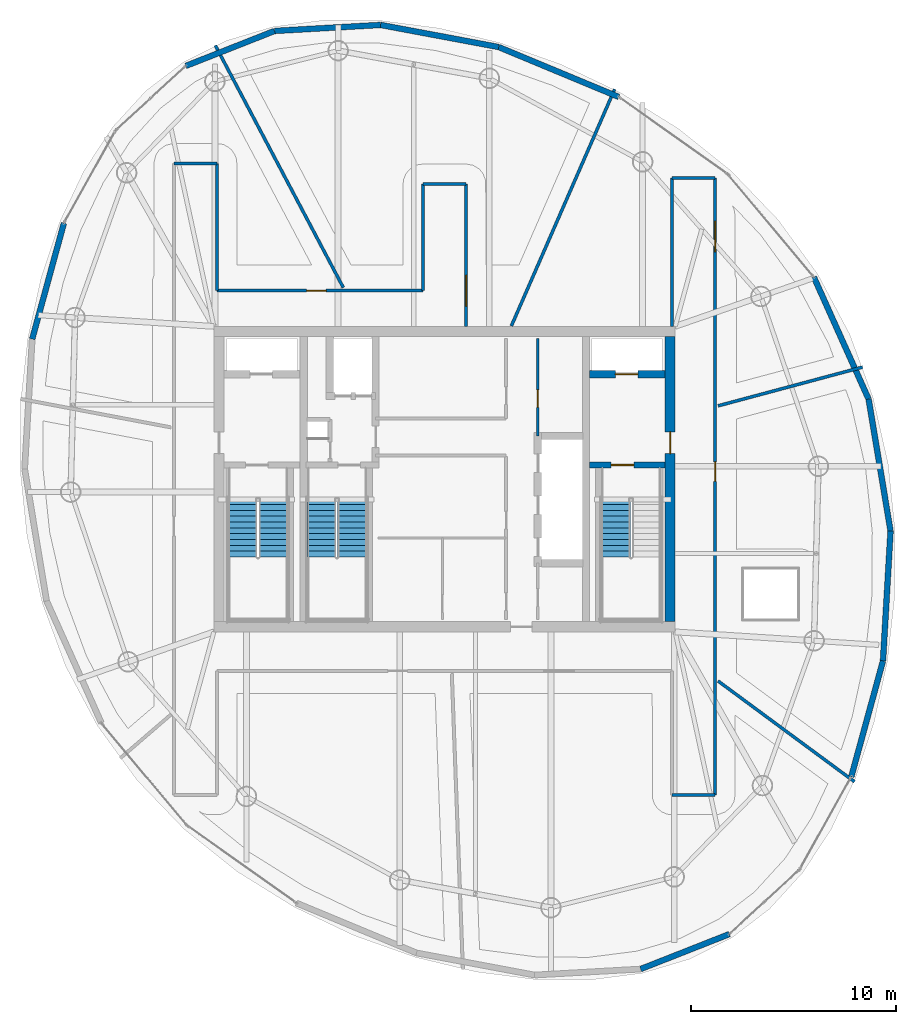
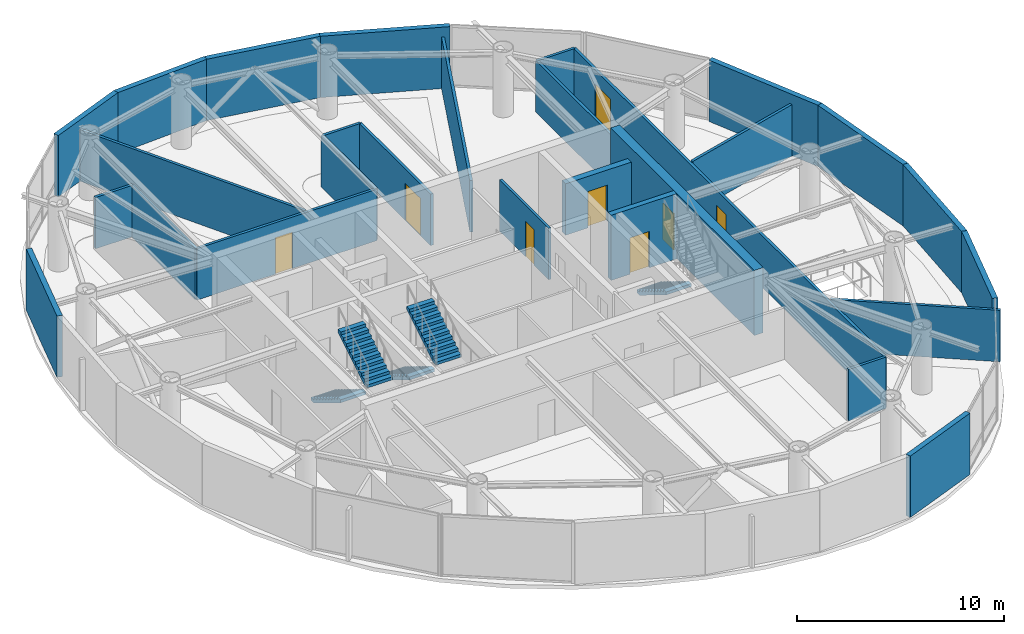
# One storey, part 13 of 17: 28 walls, 8 doors, 5 stair flights, 8 openings, 3 elements without a shape of their own.
"""IFC4 building model written with IfcOpenShell, lengths in metres."""

import ifcopenshell
import ifcopenshell.guid

model = None  # the IFC model being written
_history = None  # IfcOwnerHistory: only IFC2X3 demands one
_inside = {}  # id of a spatial element -> (the spatial element, [elements in it])
_under = {}  # id of a project, library or spatial element -> (it, [spatial elements below it])
_declared = {}  # id of a project -> (the project, [libraries it declares])
_typed = {}  # id of a type object -> (the type object, [elements of that type])
_made_of = {}  # id of a material, layer set ... -> (it, [elements and type objects made of it])


def new_model(schema):
    """Start an empty IFC model of exactly this schema.

    Asked for "IFC4X3", IfcOpenShell would pick the latest addendum, in which some entities
    have other attributes; the version numbers below select the first issue.
    IFC2X3 requires an IfcOwnerHistory on every rooted entity: one is made here for all.
    """
    global model, _history
    if schema == "IFC4X3":
        model = ifcopenshell.file(schema_version=(4, 3, 0, 0))
    else:
        model = ifcopenshell.file(schema=schema)
    _inside.clear()
    _under.clear()
    _declared.clear()
    _typed.clear()
    _made_of.clear()
    _history = None
    if model.schema == "IFC2X3":
        org = make("IfcOrganization", Name="unknown")
        user = make(
            "IfcPersonAndOrganization",
            ThePerson=make("IfcPerson", FamilyName="unknown"),
            TheOrganization=org,
        )
        app = make(
            "IfcApplication",
            ApplicationDeveloper=org,
            Version="unknown",
            ApplicationFullName="unknown",
            ApplicationIdentifier="unknown",
        )
        _history = make(
            "IfcOwnerHistory",
            OwningUser=user,
            OwningApplication=app,
            ChangeAction="ADDED",
            CreationDate=0,
        )
    return model


def make(cls, **values):
    """One entity of the class cls with the attributes given. An attribute that is None is left unset."""
    return model.create_entity(
        cls, **{name: value for name, value in values.items() if value is not None}
    )


def rooted(cls, **values):
    """An entity with a GlobalId (a new one), such as an element, a storey or a relation."""
    return make(cls, GlobalId=ifcopenshell.guid.new(), OwnerHistory=_history, **values)


def si_unit(unit_type, name, prefix=None):
    """IfcSIUnit, for example si_unit("LENGTHUNIT", "METRE", prefix="MILLI")."""
    return make("IfcSIUnit", UnitType=unit_type, Prefix=prefix, Name=name)


def assignment(units):
    """IfcUnitAssignment: the units of a project."""
    return None if units is None else make("IfcUnitAssignment", Units=units)


def point(xyz):
    """IfcCartesianPoint."""
    return None if xyz is None else make("IfcCartesianPoint", Coordinates=xyz)


def direction(xyz):
    """IfcDirection."""
    return None if xyz is None else make("IfcDirection", DirectionRatios=xyz)


def frame(location, z_axis=None, x_axis=None):
    """IfcAxis2Placement3D, a coordinate frame: its origin and axes. An axis left out is left unset."""
    return make(
        "IfcAxis2Placement3D",
        Location=point(location),
        Axis=direction(z_axis),
        RefDirection=direction(x_axis),
    )


def frame_2d(location, x_axis=None):
    """IfcAxis2Placement2D, a coordinate frame in the plane: its origin and x axis."""
    return make(
        "IfcAxis2Placement2D", Location=point(location), RefDirection=direction(x_axis)
    )


def origin():
    """The frame at (0, 0, 0) with its axes left unset."""
    return frame((0.0, 0.0, 0.0))


def place(relative_to, where):
    """IfcLocalPlacement: puts the frame where relative to a parent placement (None: the world)."""
    return make(
        "IfcLocalPlacement", PlacementRelTo=relative_to, RelativePlacement=where
    )


def context(
    kind, dimensions, precision=None, world=None, true_north=None, identifier=None
):
    """IfcGeometricRepresentationContext, for example the 3D "Model" context."""
    return make(
        "IfcGeometricRepresentationContext",
        ContextIdentifier=identifier,
        ContextType=kind,
        CoordinateSpaceDimension=dimensions,
        Precision=precision,
        WorldCoordinateSystem=world,
        TrueNorth=true_north,
    )


def subcontext(parent, identifier, kind, view, scale=None):
    """IfcGeometricRepresentationSubContext, for example "Body" below "Model"."""
    return make(
        "IfcGeometricRepresentationSubContext",
        ContextIdentifier=identifier,
        ContextType=kind,
        ParentContext=parent,
        TargetScale=scale,
        TargetView=view,
    )


def project(units=None, contexts=None):
    """IfcProject with its units and contexts."""
    return rooted(
        "IfcProject",
        Name="project",
        RepresentationContexts=contexts,
        UnitsInContext=assignment(units),
    )


def spatial(cls, under=None, at=None, **own):
    """A site, building, storey or space (cls), placed at a placement, below another one or the project."""
    s = rooted(cls, ObjectPlacement=at, **own)
    if under is not None:
        _under.setdefault(under.id(), (under, []))[1].append(s)
    return s


def polyline(points):
    """IfcPolyline through the points."""
    return make("IfcPolyline", Points=[point(p) for p in points])


def profile(cls, at=None, kind="AREA", **sizes):
    """A parametric profile (cls). Its sizes go by their IFC names, for example OverallWidth=200.0."""
    return make(cls, ProfileType=kind, Position=at, **sizes)


def rectangle(**sizes):
    """IfcRectangleProfileDef."""
    return profile("IfcRectangleProfileDef", **sizes)


def outline(outer, holes=None, kind="AREA"):
    """IfcArbitraryClosedProfileDef: a profile drawn as a closed curve; with holes, ...WithVoids."""
    if holes is None:
        return make("IfcArbitraryClosedProfileDef", ProfileType=kind, OuterCurve=outer)
    return make(
        "IfcArbitraryProfileDefWithVoids",
        ProfileType=kind,
        OuterCurve=outer,
        InnerCurves=holes,
    )


def extrude(swept, where, along, depth):
    """IfcExtrudedAreaSolid: the profile swept, set in the frame where, extruded along a direction by depth."""
    return make(
        "IfcExtrudedAreaSolid",
        SweptArea=swept,
        Position=where,
        ExtrudedDirection=direction(along),
        Depth=depth,
    )


def shape(context_of_items, identifier, shape_type, items):
    """IfcShapeRepresentation: the items that make up one representation, for example the "Body"."""
    return make(
        "IfcShapeRepresentation",
        ContextOfItems=context_of_items,
        RepresentationIdentifier=identifier,
        RepresentationType=shape_type,
        Items=items,
    )


def material(Name=None, Category=None):
    """IfcMaterial."""
    return make("IfcMaterial", Name=Name, Category=Category)


def layer(
    of_material, thickness, ventilated=None, Name=None, Category=None, Priority=None
):
    """IfcMaterialLayer: one layer of a wall or slab, of a material (None: an air gap)."""
    return make(
        "IfcMaterialLayer",
        Material=of_material,
        LayerThickness=thickness,
        IsVentilated=ventilated,
        Name=Name,
        Category=Category,
        Priority=Priority,
    )


def layer_set(layers, Name=None):
    """IfcMaterialLayerSet."""
    return make("IfcMaterialLayerSet", MaterialLayers=layers, LayerSetName=Name)


def made_of(thing, what):
    """Note that an element or type object is made of a material, layer set ...; save() writes the relation."""
    if what is not None:
        _made_of.setdefault(what.id(), (what, []))[1].append(thing)
    return thing


def type_object(cls, material=None, **own):
    """A type object (cls), such as IfcWallType, which elements share."""
    return made_of(rooted(cls, **own), material)


def element(
    cls,
    number,
    at=None,
    inside=None,
    cuts=None,
    type_object=None,
    material=None,
    context=None,
    identifier="Body",
    shape_type=None,
    held_by="IfcProductDefinitionShape",
    body=None,
    shapes=None,
    **own,
):
    """One element of the class cls, such as IfcWall. Its Tag is "e" and its number.

    at: its placement. inside: the storey or other place that contains it. cuts: it is an
    opening in that element (IfcRelVoidsElement). A single representation is given by context,
    identifier, shape_type and body (its items); several are given by shapes. held_by: the class
    of the entity that holds the representations. save() writes the other relations.
    """
    e = rooted(cls, Tag="e%d" % number, ObjectPlacement=at, **own)
    if body is not None:
        shapes = [shape(context, identifier, shape_type, body)]
    if shapes is not None:
        e.Representation = make(held_by, Representations=shapes)
    if inside is not None:
        _inside.setdefault(inside.id(), (inside, []))[1].append(e)
    if cuts is not None:
        rooted(
            "IfcRelVoidsElement", RelatingBuildingElement=cuts, RelatedOpeningElement=e
        )
    if type_object is not None:
        _typed.setdefault(type_object.id(), (type_object, []))[1].append(e)
    return made_of(e, material)


def fill(opening, filler):
    """IfcRelFillsElement: the door or window that sits in an opening."""
    return rooted(
        "IfcRelFillsElement",
        RelatingOpeningElement=opening,
        RelatedBuildingElement=filler,
    )


def aggregate(whole, parts):
    """IfcRelAggregates: a whole, such as a stair, and the parts it consists of."""
    return rooted("IfcRelAggregates", RelatingObject=whole, RelatedObjects=parts)


def save(model, path):
    """Write the relations noted so far, then the file.

    IfcRelAggregates (storeys below a building ...), IfcRelContainedInSpatialStructure (elements
    in a storey), IfcRelDefinesByType, IfcRelAssociatesMaterial and IfcRelDeclares: one each for
    every whole, place, type object, material and project.
    """
    for whole, parts in _under.values():
        aggregate(whole, parts)
    for where, things in _inside.values():
        rooted(
            "IfcRelContainedInSpatialStructure",
            RelatedElements=things,
            RelatingStructure=where,
        )
    for kind, things in _typed.values():
        rooted("IfcRelDefinesByType", RelatedObjects=things, RelatingType=kind)
    for what, things in _made_of.values():
        rooted("IfcRelAssociatesMaterial", RelatedObjects=things, RelatingMaterial=what)
    for by, libraries in _declared.values():
        rooted("IfcRelDeclares", RelatingContext=by, RelatedDefinitions=libraries)
    model.write(path)


model = new_model("IFC4")

# Units and contexts
model_context = context("Model", 3, precision=1e-05, world=origin(), true_north=direction((0.0, 1.0)))
body_context = subcontext(model_context, "Body", "Model", "MODEL_VIEW")
ifc_project = project(units=[si_unit("LENGTHUNIT", "METRE"), si_unit("AREAUNIT", "SQUARE_METRE"), si_unit("VOLUMEUNIT", "CUBIC_METRE"), si_unit("PLANEANGLEUNIT", "RADIAN"), si_unit("MASSUNIT", "GRAM", prefix="KILO")], contexts=[model_context])

# Site, building, storey
site_placement = place(None, origin())
site = spatial("IfcSite", under=ifc_project, at=site_placement, CompositionType="ELEMENT")
building_placement = place(site_placement, origin())
building = spatial("IfcBuilding", under=site, at=building_placement, Name="Bramvorn Convention Spire", CompositionType="ELEMENT")
storey_placement = place(building_placement, frame((0.0, 0.0, 265.14990234375)))
storey = spatial("IfcBuildingStorey", under=building, at=storey_placement, Name="L67", CompositionType="ELEMENT", Elevation=265.14990234375)

# Wall, opening, door
ifc_material_1 = material(Name="Concrete C50/60", Category="concrete")
ifc_layer_1 = layer(ifc_material_1, 0.5)
ifc_layer_set_1 = layer_set([ifc_layer_1], Name="Concrete C50/60 - WL-CORE-500")
wall_type_1 = type_object("IfcWallType", Name="WL-CORE-500", PredefinedType="SHEAR", material=ifc_layer_set_1)
wall_1_placement = place(storey_placement, frame((49.0, 19.050048828125, 0.0), z_axis=(0.0, 0.0, 1.0), x_axis=(0.0, 1.0, 0.0)))
wall_1 = element("IfcWall", 1, at=wall_1_placement, inside=storey, type_object=wall_type_1, Name="L67 East RC core shear wall", PredefinedType="SHEAR", context=body_context, shape_type="SweptSolid", body=[
    extrude(rectangle(XDim=13.89990234375, YDim=0.5, at=frame_2d((6.949951171875, 0.0))), origin(), (0.0, 0.0, 1.0), 3.85009765625),
])
opening_1_placement = place(wall_1_placement, frame((8.199951171875, 0.0, 0.0)))
opening_1 = element("IfcOpeningElement", 2, at=opening_1_placement, cuts=wall_1, Name="Opening DL-105", PredefinedType="OPENING", context=body_context, shape_type="SweptSolid", body=[
    extrude(rectangle(XDim=1.050048828125, YDim=2.14990234375, at=frame_2d((0.52490234375, 1.074951171875))), frame((0.0, 0.260009765625, 0.0), z_axis=(0.0, -1.0, 0.0), x_axis=(1.0, 0.0, 0.0)), (0.0, 0.0, 1.0), 0.52001953125),
])
ifc_material_2 = material(Name="Smoke-Sealed Fire Lobby Timber-Core Door", Category="wood")
door_type_1 = type_object("IfcDoorType", Name="DR-LOBBY-1050", OperationType="NOTDEFINED", PredefinedType="DOOR", material=ifc_material_2)
door_1_placement = place(opening_1_placement, origin())
door_1 = element("IfcDoor", 3, at=door_1_placement, inside=storey, type_object=door_type_1, Name="L67 East Firefighting Lobby corridor door", OperationType="SINGLE_SWING_LEFT", OverallHeight=2.14990234375, OverallWidth=1.050048828125, PredefinedType="DOOR", context=body_context, shape_type="SweptSolid", body=[
    extrude(rectangle(XDim=1.050048828125, YDim=2.14990234375, at=frame_2d((0.52490234375, 1.074951171875))), frame((0.0, 0.02490234375, 0.0), z_axis=(0.0, -1.0, 0.0), x_axis=(1.0, 0.0, 0.0)), (0.0, 0.0, 1.0), 0.050048828125),
])
fill(opening_1, door_1)

ifc_layer_2 = layer(ifc_material_1, 0.35009765625)
ifc_layer_set_2 = layer_set([ifc_layer_2], Name="Concrete C50/60 - WL-CORE-INT-350")
wall_type_2 = type_object("IfcWallType", Name="WL-CORE-INT-350", PredefinedType="SHEAR", material=ifc_layer_set_2)
wall_2_placement = place(storey_placement, frame((45.080078125, 31.1201171875, 0.0), z_axis=(0.0, 0.0, 1.0), x_axis=(1.0, 0.0, 0.0)))
wall_2 = element("IfcWall", 4, at=wall_2_placement, inside=storey, type_object=wall_type_2, Name="L67 FE2 shaft front wall", PredefinedType="SHEAR", context=body_context, shape_type="SweptSolid", body=[
    extrude(rectangle(XDim=3.669921875, YDim=0.35009765625, at=frame_2d((1.8349609375, 0.0))), origin(), (0.0, 0.0, 1.0), 3.0400390625),
])
opening_2_placement = place(wall_2_placement, frame((1.25, 0.0, 0.0)))
opening_2 = element("IfcOpeningElement", 5, at=opening_2_placement, cuts=wall_2, Name="Opening LD-110", PredefinedType="OPENING", context=body_context, shape_type="SweptSolid", body=[
    extrude(rectangle(XDim=1.10009765625, YDim=2.14990234375, at=frame_2d((0.550048828125, 1.074951171875))), frame((0.0, 0.18505859375, 0.0), z_axis=(0.0, -1.0, 0.0), x_axis=(1.0, 0.0, 0.0)), (0.0, 0.0, 1.0), 0.3701171875),
])
ifc_material_3 = material(Name="Firefighting & Service Lift Sliding Landing Door", Category="steel")
door_type_2 = type_object("IfcDoorType", Name="DR-LIFT-LD-1100", OperationType="NOTDEFINED", PredefinedType="DOOR", material=ifc_material_3)
door_2_placement = place(opening_2_placement, origin())
door_2 = element("IfcDoor", 6, at=door_2_placement, inside=storey, type_object=door_type_2, Name="L67 Lift FE2 Sliding Landing Door", OperationType="SLIDING_TO_LEFT", OverallHeight=2.14990234375, OverallWidth=1.10009765625, PredefinedType="DOOR", context=body_context, shape_type="SweptSolid", body=[
    extrude(rectangle(XDim=1.10009765625, YDim=2.14990234375, at=frame_2d((0.550048828125, 1.074951171875))), frame((0.0, 0.02490234375, 0.0), z_axis=(0.0, -1.0, 0.0), x_axis=(1.0, 0.0, 0.0)), (0.0, 0.0, 1.0), 0.050048828125),
])
fill(opening_2, door_2)

# Walls
ifc_material_4 = material(Name="Precast Concrete C40/50 with Bronze Terracotta Rainscreen", Category="masonry")
ifc_layer_3 = layer(ifc_material_4, 0.300048828125)
ifc_layer_set_3 = layer_set([ifc_layer_3], Name="Precast Concrete C40/50 with Bronze Terracotta Rainscreen - WL-EXT-BRONZE-300")
wall_type_3 = type_object("IfcWallType", Name="WL-EXT-BRONZE-300", PredefinedType="SOLIDWALL", material=ifc_layer_set_3)
wall_3_placement = place(storey_placement, frame((59.385498046875, 17.133544921875, 0.0), z_axis=(0.0, 0.0, 1.0), x_axis=(-0.264002098422, -0.964522105516, 0.0)))
element("IfcWall", 7, at=wall_3_placement, inside=storey, type_object=wall_type_3, Name="L67 expressed bronze Gothic lancet pier wall 03", PredefinedType="SOLIDWALL", context=body_context, shape_type="SweptSolid", body=[
    extrude(rectangle(XDim=5.8603515625, YDim=0.280029296875, at=frame_2d((2.93017578125, 0.0))), origin(), (0.0, 0.0, 1.0), 3.625),
])
wall_4_placement = place(storey_placement, frame((59.75390625, 23.468017578125, 0.0), z_axis=(0.0, 0.0, 1.0), x_axis=(-0.058061140862, -0.998313029025, 0.0)))
element("IfcWall", 8, at=wall_4_placement, inside=storey, type_object=wall_type_3, Name="L67 expressed bronze Gothic lancet pier wall 04", PredefinedType="SOLIDWALL", context=body_context, shape_type="SweptSolid", body=[
    extrude(rectangle(XDim=6.34521484375, YDim=0.280029296875, at=frame_2d((3.172607421875, 0.0))), origin(), (0.0, 0.0, 1.0), 3.625),
])
wall_5_placement = place(storey_placement, frame((58.68310546875, 29.90576171875, 0.0), z_axis=(0.0, 0.0, 1.0), x_axis=(0.164077460274, -0.986447457815, 0.0)))
element("IfcWall", 9, at=wall_5_placement, inside=storey, type_object=wall_type_3, Name="L67 expressed bronze Gothic lancet pier wall 05", PredefinedType="SOLIDWALL", context=body_context, shape_type="SweptSolid", body=[
    extrude(rectangle(XDim=6.526123046875, YDim=0.280029296875, at=frame_2d((3.26318359375, 0.0))), origin(), (0.0, 0.0, 1.0), 3.625),
])
wall_6_placement = place(storey_placement, frame((56.010986328125, 35.860595703125, 0.0), z_axis=(0.0, 0.0, 1.0), x_axis=(0.409401707674, -0.912354230414, 0.0)))
element("IfcWall", 10, at=wall_6_placement, inside=storey, type_object=wall_type_3, Name="L67 expressed bronze Gothic lancet pier wall 06", PredefinedType="SOLIDWALL", context=body_context, shape_type="SweptSolid", body=[
    extrude(rectangle(XDim=6.52685546875, YDim=0.280029296875, at=frame_2d((3.263427734375, 0.0))), origin(), (0.0, 0.0, 1.0), 3.625),
])
wall_7_placement = place(storey_placement, frame((40.638916015625, 47.076171875, 0.0), z_axis=(0.0, 0.0, 1.0), x_axis=(0.92339875501, -0.383842075919, 0.0)))
element("IfcWall", 11, at=wall_7_placement, inside=storey, type_object=wall_type_3, Name="L67 expressed bronze Gothic lancet pier wall 09", PredefinedType="SOLIDWALL", context=body_context, shape_type="SweptSolid", body=[
    extrude(rectangle(XDim=6.34521484375, YDim=0.280029296875, at=frame_2d((3.172607421875, 0.0))), origin(), (0.0, 0.0, 1.0), 3.625),
])
wall_8_placement = place(storey_placement, frame((34.878662109375, 48.153564453125, 0.0), z_axis=(0.0, 0.0, 1.0), x_axis=(0.982954154171, -0.183850838449, 0.0)))
element("IfcWall", 12, at=wall_8_placement, inside=storey, type_object=wall_type_3, Name="L67 expressed bronze Gothic lancet pier wall 10", PredefinedType="SOLIDWALL", context=body_context, shape_type="SweptSolid", body=[
    extrude(rectangle(XDim=5.860107421875, YDim=0.280029296875, at=frame_2d((2.93017578125, 0.0))), origin(), (0.0, 0.0, 1.0), 3.625),
])
wall_9_placement = place(storey_placement, frame((29.707763671875, 47.8603515625, 0.0), z_axis=(0.0, 0.0, 1.0), x_axis=(0.998396170021, 0.056613493871, 0.0)))
element("IfcWall", 13, at=wall_9_placement, inside=storey, type_object=wall_type_3, Name="L67 expressed bronze Gothic lancet pier wall 11", PredefinedType="SOLIDWALL", context=body_context, shape_type="SweptSolid", body=[
    extrude(rectangle(XDim=5.17919921875, YDim=0.280029296875, at=frame_2d((2.589599609375, 0.0))), origin(), (0.0, 0.0, 1.0), 3.625),
])
wall_10_placement = place(storey_placement, frame((25.380859375, 46.155517578125, 0.0), z_axis=(0.0, 0.0, 1.0), x_axis=(0.930386691725, 0.366579600988, 0.0)))
element("IfcWall", 14, at=wall_10_placement, inside=storey, type_object=wall_type_3, Name="L67 expressed bronze Gothic lancet pier wall 12", PredefinedType="SOLIDWALL", context=body_context, shape_type="SweptSolid", body=[
    extrude(rectangle(XDim=4.650634765625, YDim=0.280029296875, at=frame_2d((2.3251953125, 0.0))), origin(), (0.0, 0.0, 1.0), 3.625),
])
wall_11_placement = place(storey_placement, frame((17.88818359375, 32.832275390625, 0.0), z_axis=(0.0, 0.0, 1.0), x_axis=(0.26396334097, 0.964532713092, 0.0)))
element("IfcWall", 15, at=wall_11_placement, inside=storey, type_object=wall_type_3, Name="L67 expressed bronze Gothic lancet pier wall 15", PredefinedType="SOLIDWALL", context=body_context, shape_type="SweptSolid", body=[
    extrude(rectangle(XDim=5.860107421875, YDim=0.280029296875, at=frame_2d((2.93017578125, 0.0))), origin(), (0.0, 0.0, 1.0), 3.625),
])
wall_12_placement = place(storey_placement, frame((51.892578125, 3.810302734375, 0.0), z_axis=(0.0, 0.0, 1.0), x_axis=(-0.930379636763, -0.366597506123, 0.0)))
element("IfcWall", 16, at=wall_12_placement, inside=storey, type_object=wall_type_3, Name="L67 expressed bronze Gothic lancet pier wall 24", PredefinedType="SOLIDWALL", context=body_context, shape_type="SweptSolid", body=[
    extrude(rectangle(XDim=4.650390625, YDim=0.280029296875, at=frame_2d((2.3251953125, 0.0))), origin(), (0.0, 0.0, 1.0), 3.625),
])

# Wall, opening, door
ifc_material_5 = material(Name="Metal-Stud Demountable Office Partition", Category="gypsum")
ifc_layer_4 = layer(ifc_material_5, 0.1298828125)
ifc_layer_set_4 = layer_set([ifc_layer_4], Name="Metal-Stud Demountable Office Partition - WL-PART-130")
wall_type_4 = type_object("IfcWallType", Name="WL-PART-130", PredefinedType="PARTITIONING", material=ifc_layer_set_4)
wall_13_placement = place(storey_placement, frame((42.550048828125, 28.10009765625, 0.0), z_axis=(0.0, 0.0, 1.0), x_axis=(0.0, 1.0, 0.0)))
wall_13 = element("IfcWall", 17, at=wall_13_placement, inside=storey, type_object=wall_type_4, Name="L67 KA NE IDF wall", PredefinedType="PARTITIONING", context=body_context, shape_type="SweptSolid", body=[
    extrude(rectangle(XDim=4.75, YDim=0.1298828125, at=frame_2d((2.375, 0.0))), origin(), (0.0, 0.0, 1.0), 3.0400390625),
])
opening_3_placement = place(wall_13_placement, frame((1.39990234375, 0.0, 0.0)))
opening_3 = element("IfcOpeningElement", 18, at=opening_3_placement, cuts=wall_13, Name="Opening DC-085", PredefinedType="OPENING", context=body_context, shape_type="SweptSolid", body=[
    extrude(rectangle(XDim=0.85009765625, YDim=2.10009765625, at=frame_2d((0.425048828125, 1.050048828125))), frame((0.0, 0.074951171875, 0.0), z_axis=(0.0, -1.0, 0.0), x_axis=(1.0, 0.0, 0.0)), (0.0, 0.0, 1.0), 0.14990234375),
])
ifc_material_6 = material(Name="Fire-Rated Core Washroom & IDF Door", Category="wood")
door_type_3 = type_object("IfcDoorType", Name="DR-CORE-850", OperationType="NOTDEFINED", PredefinedType="DOOR", material=ifc_material_6)
door_3_placement = place(opening_3_placement, origin())
door_3 = element("IfcDoor", 19, at=door_3_placement, inside=storey, type_object=door_type_3, Name="L67 Core IDF & BMS Room door", OperationType="SINGLE_SWING_LEFT", OverallHeight=2.10009765625, OverallWidth=0.85009765625, PredefinedType="DOOR", context=body_context, shape_type="SweptSolid", body=[
    extrude(rectangle(XDim=0.85009765625, YDim=2.10009765625, at=frame_2d((0.425048828125, 1.050048828125))), frame((0.0, 0.02490234375, 0.0), z_axis=(0.0, -1.0, 0.0), x_axis=(1.0, 0.0, 0.0)), (0.0, 0.0, 1.0), 0.050048828125),
])
fill(opening_3, door_3)

ifc_material_7 = material(Name="Acoustic Metal-Stud Tenant/Corridor Partition", Category="gypsum")
ifc_layer_5 = layer(ifc_material_7, 0.14990234375)
ifc_layer_set_5 = layer_set([ifc_layer_5], Name="Acoustic Metal-Stud Tenant/Corridor Partition - WL-PART-150")
wall_type_5 = type_object("IfcWallType", Name="WL-PART-150", PredefinedType="PARTITIONING", material=ifc_layer_set_5)
wall_14_placement = place(storey_placement, frame((26.89990234375, 35.199951171875, 0.0), z_axis=(0.0, 0.0, 1.0), x_axis=(1.0, 0.0, 0.0)))
wall_14 = element("IfcWall", 20, at=wall_14_placement, inside=storey, type_object=wall_type_5, Name="L67 North-west spur link wall", PredefinedType="PARTITIONING", context=body_context, shape_type="SweptSolid", body=[
    extrude(rectangle(XDim=10.050048828125, YDim=0.14990234375, at=frame_2d((5.02490234375, 0.0))), origin(), (0.0, 0.0, 1.0), 3.0400390625),
])
opening_4_placement = place(wall_14_placement, frame((4.3779296875, 0.0, 0.0)))
opening_4 = element("IfcOpeningElement", 21, at=opening_4_placement, cuts=wall_14, Name="Opening DH-095", PredefinedType="OPENING", context=body_context, shape_type="SweptSolid", body=[
    extrude(rectangle(XDim=0.949951171875, YDim=2.14990234375, at=frame_2d((0.47509765625, 1.074951171875))), frame((0.0, 0.0849609375, 0.0), z_axis=(0.0, -1.0, 0.0), x_axis=(1.0, 0.0, 0.0)), (0.0, 0.0, 1.0), 0.169921875),
])
ifc_material_8 = material(Name="Solid-Core Acoustic Guestroom Entry Door", Category="wood")
door_type_4 = type_object("IfcDoorType", Name="DR-HOTEL-950", OperationType="NOTDEFINED", PredefinedType="DOOR", material=ifc_material_8)
door_4_placement = place(opening_4_placement, origin())
door_4 = element("IfcDoor", 22, at=door_4_placement, inside=storey, type_object=door_type_4, Name="L67 Butler Catering Kitchen 3 door", OperationType="SINGLE_SWING_LEFT", OverallHeight=2.14990234375, OverallWidth=0.949951171875, PredefinedType="DOOR", context=body_context, shape_type="SweptSolid", body=[
    extrude(rectangle(XDim=0.949951171875, YDim=2.14990234375, at=frame_2d((0.47509765625, 1.074951171875))), frame((0.0, 0.02490234375, 0.0), z_axis=(0.0, -1.0, 0.0), x_axis=(1.0, 0.0, 0.0)), (0.0, 0.0, 1.0), 0.050048828125),
])
fill(opening_4, door_4)

# Walls
wall_15_placement = place(storey_placement, frame((26.89990234375, 35.199951171875, 0.0), z_axis=(0.0, 0.0, 1.0), x_axis=(0.0, 1.0, 0.0)))
element("IfcWall", 23, at=wall_15_placement, inside=storey, type_object=wall_type_5, Name="L67 West gallery NE wall", PredefinedType="PARTITIONING", context=body_context, shape_type="SweptSolid", body=[
    extrude(rectangle(XDim=6.199951171875, YDim=0.14990234375, at=frame_2d((3.10009765625, 0.0))), origin(), (0.0, 0.0, 1.0), 3.0400390625),
])
wall_16_placement = place(storey_placement, frame((24.800048828125, 41.39990234375, 0.0), z_axis=(0.0, 0.0, 1.0), x_axis=(1.0, 0.0, 0.0)))
element("IfcWall", 24, at=wall_16_placement, inside=storey, type_object=wall_type_5, Name="L67 West gallery north end", PredefinedType="PARTITIONING", context=body_context, shape_type="SweptSolid", body=[
    extrude(rectangle(XDim=2.099853515625, YDim=0.14990234375, at=frame_2d((1.0498046875, 0.0))), origin(), (0.0, 0.0, 1.0), 3.0400390625),
])

# Wall, openings, doors
wall_17_placement = place(storey_placement, frame((51.199951171875, 10.60009765625, 0.0), z_axis=(0.0, 0.0, 1.0), x_axis=(0.0, 1.0, 0.0)))
wall_17 = element("IfcWall", 25, at=wall_17_placement, inside=storey, type_object=wall_type_5, Name="L67 East N-S gallery outer wall", PredefinedType="PARTITIONING", context=body_context, shape_type="SweptSolid", body=[
    extrude(rectangle(XDim=30.088623046875, YDim=0.14990234375, at=frame_2d((15.04443359375, 0.0))), origin(), (0.0, 0.0, 1.0), 3.0400390625),
])
opening_5_placement = place(wall_17_placement, frame((26.484619140625, 0.0, 0.0)))
opening_5 = element("IfcOpeningElement", 26, at=opening_5_placement, cuts=wall_17, Name="Opening DC-150", PredefinedType="OPENING", context=body_context, shape_type="SweptSolid", body=[
    extrude(rectangle(XDim=1.5, YDim=2.199951171875, at=frame_2d((0.75, 1.10009765625))), frame((0.0, 0.0849609375, 0.0), z_axis=(0.0, -1.0, 0.0), x_axis=(1.0, 0.0, 0.0)), (0.0, 0.0, 1.0), 0.169921875),
])
opening_6_placement = place(wall_17_placement, frame((15.2890625, 0.0, 0.0)))
opening_6 = element("IfcOpeningElement", 27, at=opening_6_placement, cuts=wall_17, Name="Opening DH-095", PredefinedType="OPENING", context=body_context, shape_type="SweptSolid", body=[
    extrude(rectangle(XDim=0.949951171875, YDim=2.14990234375, at=frame_2d((0.47509765625, 1.074951171875))), frame((0.0, 0.0849609375, 0.0), z_axis=(0.0, -1.0, 0.0), x_axis=(1.0, 0.0, 0.0)), (0.0, 0.0, 1.0), 0.169921875),
])
ifc_material_9 = material(Name="Double-Leaf Smoke-Control Corridor Door", Category="wood")
door_type_5 = type_object("IfcDoorType", Name="DR-COR-1500", OperationType="NOTDEFINED", PredefinedType="DOOR", material=ifc_material_9)
door_5_placement = place(opening_5_placement, origin())
door_5 = element("IfcDoor", 28, at=door_5_placement, inside=storey, type_object=door_type_5, Name="L67 Executive Dining Salon 1 1 door", OperationType="DOUBLE_DOOR_SINGLE_SWING", OverallHeight=2.199951171875, OverallWidth=1.5, PredefinedType="DOOR", context=body_context, shape_type="SweptSolid", body=[
    extrude(rectangle(XDim=1.5, YDim=2.199951171875, at=frame_2d((0.75, 1.10009765625))), frame((0.0, 0.02490234375, 0.0), z_axis=(0.0, -1.0, 0.0), x_axis=(1.0, 0.0, 0.0)), (0.0, 0.0, 1.0), 0.050048828125),
])
fill(opening_5, door_5)
door_6_placement = place(opening_6_placement, origin())
door_6 = element("IfcDoor", 29, at=door_6_placement, inside=storey, type_object=door_type_4, Name="L67 Executive Strategy Suite 7 door", OperationType="SINGLE_SWING_LEFT", OverallHeight=2.14990234375, OverallWidth=0.949951171875, PredefinedType="DOOR", context=body_context, shape_type="SweptSolid", body=[
    extrude(rectangle(XDim=0.949951171875, YDim=2.14990234375, at=frame_2d((0.47509765625, 1.074951171875))), frame((0.0, 0.02490234375, 0.0), z_axis=(0.0, -1.0, 0.0), x_axis=(1.0, 0.0, 0.0)), (0.0, 0.0, 1.0), 0.050048828125),
])
fill(opening_6, door_6)

# Walls
wall_18_placement = place(storey_placement, frame((49.10009765625, 33.449951171875, 0.0), z_axis=(0.0, 0.0, 1.0), x_axis=(0.0, 1.0, 0.0)))
element("IfcWall", 30, at=wall_18_placement, inside=storey, type_object=wall_type_5, Name="L67 East gallery NW wall", PredefinedType="PARTITIONING", context=body_context, shape_type="SweptSolid", body=[
    extrude(rectangle(XDim=7.23876953125, YDim=0.14990234375, at=frame_2d((3.619384765625, 0.0))), origin(), (0.0, 0.0, 1.0), 3.0400390625),
])
for number, where, z_axis, x_axis, name in (
    (31, (49.10009765625, 10.60009765625, 0.0), (0.0, 0.0, 1.0), (1.0, 0.0, 0.0), "L67 East gallery south end"),
    (32, (49.10009765625, 40.688720703125, 0.0), (0.0, 0.0, 1.0), (1.0, 0.0, 0.0), "L67 East gallery north end"),
):
    element("IfcWall", number, at=place(storey_placement, frame(where, z_axis=z_axis, x_axis=x_axis)), inside=storey, type_object=wall_type_5, Name=name, PredefinedType="PARTITIONING", context=body_context, shape_type="SweptSolid", body=[
        extrude(rectangle(XDim=2.099853515625, YDim=0.14990234375, at=frame_2d((1.0498046875, 0.0))), origin(), (0.0, 0.0, 1.0), 3.0400390625),
    ])
wall_19_placement = place(storey_placement, frame((36.949951171875, 35.199951171875, 0.0), z_axis=(0.0, 0.0, 1.0), x_axis=(0.0, 1.0, 0.0)))
element("IfcWall", 33, at=wall_19_placement, inside=storey, type_object=wall_type_5, Name="L67 North spur west wall", PredefinedType="PARTITIONING", context=body_context, shape_type="SweptSolid", body=[
    extrude(rectangle(XDim=5.199951171875, YDim=0.14990234375, at=frame_2d((2.60009765625, 0.0))), origin(), (0.0, 0.0, 1.0), 3.0400390625),
])

# Wall, opening, door
wall_20_placement = place(storey_placement, frame((39.050048828125, 33.449951171875, 0.0), z_axis=(0.0, 0.0, 1.0), x_axis=(0.0, 1.0, 0.0)))
wall_20 = element("IfcWall", 34, at=wall_20_placement, inside=storey, type_object=wall_type_5, Name="L67 North spur east wall", PredefinedType="PARTITIONING", context=body_context, shape_type="SweptSolid", body=[
    extrude(rectangle(XDim=6.949951171875, YDim=0.14990234375, at=frame_2d((3.47509765625, 0.0))), origin(), (0.0, 0.0, 1.0), 3.0400390625),
])
opening_7_placement = place(wall_20_placement, frame((0.987548828125, 0.0, 0.0)))
opening_7 = element("IfcOpeningElement", 35, at=opening_7_placement, cuts=wall_20, Name="Opening DC-150", PredefinedType="OPENING", context=body_context, shape_type="SweptSolid", body=[
    extrude(rectangle(XDim=1.5, YDim=2.199951171875, at=frame_2d((0.75, 1.10009765625))), frame((0.0, 0.0849609375, 0.0), z_axis=(0.0, -1.0, 0.0), x_axis=(1.0, 0.0, 0.0)), (0.0, 0.0, 1.0), 0.169921875),
])
door_7_placement = place(opening_7_placement, origin())
door_7 = element("IfcDoor", 36, at=door_7_placement, inside=storey, type_object=door_type_5, Name="L67 Executive Dining Salon 2 2 door", OperationType="DOUBLE_DOOR_SINGLE_SWING", OverallHeight=2.199951171875, OverallWidth=1.5, PredefinedType="DOOR", context=body_context, shape_type="SweptSolid", body=[
    extrude(rectangle(XDim=1.5, YDim=2.199951171875, at=frame_2d((0.75, 1.10009765625))), frame((0.0, 0.02490234375, 0.0), z_axis=(0.0, -1.0, 0.0), x_axis=(1.0, 0.0, 0.0)), (0.0, 0.0, 1.0), 0.050048828125),
])
fill(opening_7, door_7)

# Walls
wall_21_placement = place(storey_placement, frame((36.949951171875, 40.39990234375, 0.0), z_axis=(0.0, 0.0, 1.0), x_axis=(1.0, 0.0, 0.0)))
element("IfcWall", 37, at=wall_21_placement, inside=storey, type_object=wall_type_5, Name="L67 North spur end wall", PredefinedType="PARTITIONING", context=body_context, shape_type="SweptSolid", body=[
    extrude(rectangle(XDim=2.10009765625, YDim=0.14990234375, at=frame_2d((1.050048828125, 0.0))), origin(), (0.0, 0.0, 1.0), 3.0400390625),
])
wall_22_placement = place(storey_placement, frame((51.340087890625, 29.574462890625, 0.0), z_axis=(0.0, 0.0, 1.0), x_axis=(0.965925662207, 0.258819657463, 0.0)))
element("IfcWall", 38, at=wall_22_placement, inside=storey, type_object=wall_type_5, Name="L67 Tenant suite partition 1", PredefinedType="PARTITIONING", context=body_context, shape_type="SweptSolid", body=[
    extrude(rectangle(XDim=7.301025390625, YDim=0.14990234375, at=frame_2d((3.650390625, 0.0))), origin(), (0.0, 0.0, 1.0), 3.0400390625),
])
wall_23_placement = place(storey_placement, frame((41.259033203125, 33.469970703125, 0.0), z_axis=(0.0, 0.0, 1.0), x_axis=(0.399905988598, 0.916556163191, 0.0)))
element("IfcWall", 39, at=wall_23_placement, inside=storey, type_object=wall_type_5, Name="L67 Tenant suite partition 2", PredefinedType="PARTITIONING", context=body_context, shape_type="SweptSolid", body=[
    extrude(rectangle(XDim=12.601806640625, YDim=0.14990234375, at=frame_2d((6.30078125, 0.0))), origin(), (0.0, 0.0, 1.0), 3.0400390625),
])
wall_24_placement = place(storey_placement, frame((33.063720703125, 35.340087890625, 0.0), z_axis=(0.0, 0.0, 1.0), x_axis=(-0.467271634446, 0.884113804689, 0.0)))
element("IfcWall", 40, at=wall_24_placement, inside=storey, type_object=wall_type_5, Name="L67 Tenant suite partition 3", PredefinedType="PARTITIONING", context=body_context, shape_type="SweptSolid", body=[
    extrude(rectangle(XDim=13.36669921875, YDim=0.14990234375, at=frame_2d((6.683349609375, 0.0))), origin(), (0.0, 0.0, 1.0), 3.0400390625),
])
wall_25_placement = place(storey_placement, frame((51.340087890625, 16.154541015625, 0.0), z_axis=(0.0, 0.0, 1.0), x_axis=(0.804600259719, -0.593816825343, 0.0)))
element("IfcWall", 41, at=wall_25_placement, inside=storey, type_object=wall_type_5, Name="L67 Tenant suite partition 7", PredefinedType="PARTITIONING", context=body_context, shape_type="SweptSolid", body=[
    extrude(rectangle(XDim=8.274658203125, YDim=0.14990234375, at=frame_2d((4.13720703125, 0.0))), origin(), (0.0, 0.0, 1.0), 3.0400390625),
])

# Wall, opening, door
ifc_layer_6 = layer(ifc_material_1, 0.300048828125)
ifc_layer_set_6 = layer_set([ifc_layer_6], Name="Concrete C50/60 - WL-POD-STAIR-300")
wall_type_6 = type_object("IfcWallType", Name="WL-POD-STAIR-300", PredefinedType="SHEAR", material=ifc_layer_set_6)
wall_26_placement = place(storey_placement, frame((45.080078125, 26.68994140625, 0.0), z_axis=(0.0, 0.0, 1.0), x_axis=(1.0, 0.0, 0.0)))
wall_26 = element("IfcWall", 42, at=wall_26_placement, inside=storey, type_object=wall_type_6, Name="L67 ST2 north fire wall", PredefinedType="SHEAR", context=body_context, shape_type="SweptSolid", body=[
    extrude(rectangle(XDim=3.669921875, YDim=0.300048828125, at=frame_2d((1.8349609375, 0.0))), origin(), (0.0, 0.0, 1.0), 3.85009765625),
])
opening_8_placement = place(wall_26_placement, frame((1.050048828125, 0.0, 0.0)))
opening_8 = element("IfcOpeningElement", 43, at=opening_8_placement, cuts=wall_26, Name="Opening DS-110", PredefinedType="OPENING", context=body_context, shape_type="SweptSolid", body=[
    extrude(rectangle(XDim=1.10009765625, YDim=2.14990234375, at=frame_2d((0.550048828125, 1.074951171875))), frame((0.0, 0.159912109375, 0.0), z_axis=(0.0, -1.0, 0.0), x_axis=(1.0, 0.0, 0.0)), (0.0, 0.0, 1.0), 0.320068359375),
])
ifc_material_10 = material(Name="Fire-Rated Hollow Steel Stairwell Door", Category="steel")
door_type_6 = type_object("IfcDoorType", Name="DR-STAIR-1100", OperationType="NOTDEFINED", PredefinedType="DOOR", material=ifc_material_10)
door_8_placement = place(opening_8_placement, origin())
door_8 = element("IfcDoor", 44, at=door_8_placement, inside=storey, type_object=door_type_6, Name="L67 Stair ST2 fire door", OperationType="SINGLE_SWING_RIGHT", OverallHeight=2.14990234375, OverallWidth=1.10009765625, PredefinedType="DOOR", context=body_context, shape_type="SweptSolid", body=[
    extrude(rectangle(XDim=1.10009765625, YDim=2.14990234375, at=frame_2d((0.550048828125, 1.074951171875))), frame((0.0, 0.02490234375, 0.0), z_axis=(0.0, -1.0, 0.0), x_axis=(1.0, 0.0, 0.0)), (0.0, 0.0, 1.0), 0.050048828125),
])
fill(opening_8, door_8)

# Stair, stair flights
ifc_material_11 = material(Name="Concrete C40/50 Precast Stair", Category="concrete")
stair_type = type_object("IfcStairType", Name="ST-TOWER-1550", PredefinedType="HALF_TURN_STAIR", material=ifc_material_11)
stair_1_placement = place(storey_placement, origin())
stair_1 = element("IfcStair", 45, at=stair_1_placement, inside=storey, type_object=stair_type, Name="L67 Protected Exit Stair ST1", PredefinedType="HALF_TURN_STAIR")
ifc_material_12 = material(Name="Concrete C40/50 Precast Stair Flight", Category="concrete")
stair_flight_type = type_object("IfcStairFlightType", Name="STF-TOWER-1550", PredefinedType="STRAIGHT", material=ifc_material_12)
stair_flight_1_placement = place(storey_placement, frame((28.155029296875, 25.050048828125, 0.0), z_axis=(0.0, 0.0, 1.0), x_axis=(0.0, -1.0, 0.0)))
stair_flight_1 = element("IfcStairFlight", 46, at=stair_flight_1_placement, type_object=stair_flight_type, Name="ST1 flight 1", NumberOfRisers=11, NumberOfTreads=10, PredefinedType="STRAIGHT", RiserHeight=0.175, TreadLength=0.285, context=body_context, shape_type="SweptSolid", body=[
    extrude(outline(polyline([(0.0, 0.0), (0.0, 0.175048828125), (0.284912109375, 0.175048828125), (0.284912109375, 0.35009765625), (0.570068359375, 0.35009765625), (0.570068359375, 0.52490234375), (0.85498046875, 0.52490234375), (0.85498046875, 0.699951171875), (1.139892578125, 0.699951171875), (1.139892578125, 0.875), (1.425048828125, 0.875), (1.425048828125, 1.050048828125), (1.7099609375, 1.050048828125), (1.7099609375, 1.22509765625), (1.9951171875, 1.22509765625), (1.9951171875, 1.39990234375), (2.280029296875, 1.39990234375), (2.280029296875, 1.574951171875), (2.56494140625, 1.574951171875), (2.56494140625, 1.75), (2.85009765625, 1.75), (2.85009765625, 1.925048828125), (2.85009765625, 1.573974609375), (0.286376953125, 0.0), (0.0, 0.0)])), frame((0.0, 0.705078125, 0.0), z_axis=(0.0, -1.0, 0.0), x_axis=(1.0, 0.0, 0.0)), (0.0, 0.0, 1.0), 1.409912109375),
])
stair_flight_2_placement = place(storey_placement, frame((29.64501953125, 22.199951171875, 1.925048828125), z_axis=(0.0, 0.0, 1.0), x_axis=(0.0, 1.0, 0.0)))
stair_flight_2 = element("IfcStairFlight", 47, at=stair_flight_2_placement, type_object=stair_flight_type, Name="ST1 flight 2", NumberOfRisers=11, NumberOfTreads=10, PredefinedType="STRAIGHT", RiserHeight=0.175, TreadLength=0.285, context=body_context, shape_type="SweptSolid", body=[
    extrude(outline(polyline([(0.0, 0.0), (0.0, 0.175048828125), (0.284912109375, 0.175048828125), (0.284912109375, 0.35009765625), (0.570068359375, 0.35009765625), (0.570068359375, 0.52490234375), (0.85498046875, 0.52490234375), (0.85498046875, 0.699951171875), (1.139892578125, 0.699951171875), (1.139892578125, 0.875), (1.425048828125, 0.875), (1.425048828125, 1.050048828125), (1.7099609375, 1.050048828125), (1.7099609375, 1.22509765625), (1.9951171875, 1.22509765625), (1.9951171875, 1.39990234375), (2.280029296875, 1.39990234375), (2.280029296875, 1.574951171875), (2.56494140625, 1.574951171875), (2.56494140625, 1.75), (2.85009765625, 1.75), (2.85009765625, 1.925048828125), (2.85009765625, 1.573974609375), (0.286376953125, 0.0), (0.0, 0.0)])), frame((0.0, 0.705078125, 0.0), z_axis=(0.0, -1.0, 0.0), x_axis=(1.0, 0.0, 0.0)), (0.0, 0.0, 1.0), 1.409912109375),
])
aggregate(stair_1, [stair_flight_1, stair_flight_2])

# Stair, stair flight
stair_2_placement = place(storey_placement, origin())
stair_2 = element("IfcStair", 48, at=stair_2_placement, inside=storey, type_object=stair_type, Name="L67 Protected Exit Stair ST2", PredefinedType="HALF_TURN_STAIR")
stair_flight_3_placement = place(storey_placement, frame((46.35498046875, 25.050048828125, 0.0), z_axis=(0.0, 0.0, 1.0), x_axis=(0.0, -1.0, 0.0)))
stair_flight_3 = element("IfcStairFlight", 49, at=stair_flight_3_placement, type_object=stair_flight_type, Name="ST2 flight 1", NumberOfRisers=11, NumberOfTreads=10, PredefinedType="STRAIGHT", RiserHeight=0.175, TreadLength=0.285, context=body_context, shape_type="SweptSolid", body=[
    extrude(outline(polyline([(0.0, 0.0), (0.0, 0.175048828125), (0.284912109375, 0.175048828125), (0.284912109375, 0.35009765625), (0.570068359375, 0.35009765625), (0.570068359375, 0.52490234375), (0.85498046875, 0.52490234375), (0.85498046875, 0.699951171875), (1.139892578125, 0.699951171875), (1.139892578125, 0.875), (1.425048828125, 0.875), (1.425048828125, 1.050048828125), (1.7099609375, 1.050048828125), (1.7099609375, 1.22509765625), (1.9951171875, 1.22509765625), (1.9951171875, 1.39990234375), (2.280029296875, 1.39990234375), (2.280029296875, 1.574951171875), (2.56494140625, 1.574951171875), (2.56494140625, 1.75), (2.85009765625, 1.75), (2.85009765625, 1.925048828125), (2.85009765625, 1.573974609375), (0.286376953125, 0.0), (0.0, 0.0)])), frame((0.0, 0.705078125, 0.0), z_axis=(0.0, -1.0, 0.0), x_axis=(1.0, 0.0, 0.0)), (0.0, 0.0, 1.0), 1.409912109375),
])
aggregate(stair_2, [stair_flight_3])

# Stair, stair flights
stair_3_placement = place(storey_placement, origin())
stair_3 = element("IfcStair", 50, at=stair_3_placement, inside=storey, type_object=stair_type, Name="L67 Protected Exit Stair ST3", PredefinedType="HALF_TURN_STAIR")
stair_flight_4_placement = place(storey_placement, frame((32.0048828125, 25.050048828125, 0.0), z_axis=(0.0, 0.0, 1.0), x_axis=(0.0, -1.0, 0.0)))
stair_flight_4 = element("IfcStairFlight", 51, at=stair_flight_4_placement, type_object=stair_flight_type, Name="ST3 flight 1", NumberOfRisers=11, NumberOfTreads=10, PredefinedType="STRAIGHT", RiserHeight=0.175, TreadLength=0.285, context=body_context, shape_type="SweptSolid", body=[
    extrude(outline(polyline([(0.0, 0.0), (0.0, 0.175048828125), (0.284912109375, 0.175048828125), (0.284912109375, 0.35009765625), (0.570068359375, 0.35009765625), (0.570068359375, 0.52490234375), (0.85498046875, 0.52490234375), (0.85498046875, 0.699951171875), (1.139892578125, 0.699951171875), (1.139892578125, 0.875), (1.425048828125, 0.875), (1.425048828125, 1.050048828125), (1.7099609375, 1.050048828125), (1.7099609375, 1.22509765625), (1.9951171875, 1.22509765625), (1.9951171875, 1.39990234375), (2.280029296875, 1.39990234375), (2.280029296875, 1.574951171875), (2.56494140625, 1.574951171875), (2.56494140625, 1.75), (2.85009765625, 1.75), (2.85009765625, 1.925048828125), (2.85009765625, 1.573974609375), (0.286376953125, 0.0), (0.0, 0.0)])), frame((0.0, 0.705078125, 0.0), z_axis=(0.0, -1.0, 0.0), x_axis=(1.0, 0.0, 0.0)), (0.0, 0.0, 1.0), 1.409912109375),
])
stair_flight_5_placement = place(storey_placement, frame((33.4951171875, 22.199951171875, 1.925048828125), z_axis=(0.0, 0.0, 1.0), x_axis=(0.0, 1.0, 0.0)))
stair_flight_5 = element("IfcStairFlight", 52, at=stair_flight_5_placement, type_object=stair_flight_type, Name="ST3 flight 2", NumberOfRisers=11, NumberOfTreads=10, PredefinedType="STRAIGHT", RiserHeight=0.175, TreadLength=0.285, context=body_context, shape_type="SweptSolid", body=[
    extrude(outline(polyline([(0.0, 0.0), (0.0, 0.175048828125), (0.284912109375, 0.175048828125), (0.284912109375, 0.35009765625), (0.570068359375, 0.35009765625), (0.570068359375, 0.52490234375), (0.85498046875, 0.52490234375), (0.85498046875, 0.699951171875), (1.139892578125, 0.699951171875), (1.139892578125, 0.875), (1.425048828125, 0.875), (1.425048828125, 1.050048828125), (1.7099609375, 1.050048828125), (1.7099609375, 1.22509765625), (1.9951171875, 1.22509765625), (1.9951171875, 1.39990234375), (2.280029296875, 1.39990234375), (2.280029296875, 1.574951171875), (2.56494140625, 1.574951171875), (2.56494140625, 1.75), (2.85009765625, 1.75), (2.85009765625, 1.925048828125), (2.85009765625, 1.573974609375), (0.286376953125, 0.0), (0.0, 0.0)])), frame((0.0, 0.705078125, 0.0), z_axis=(0.0, -1.0, 0.0), x_axis=(1.0, 0.0, 0.0)), (0.0, 0.0, 1.0), 1.409912109375),
])
aggregate(stair_3, [stair_flight_4, stair_flight_5])

save(model, "model.ifc")
